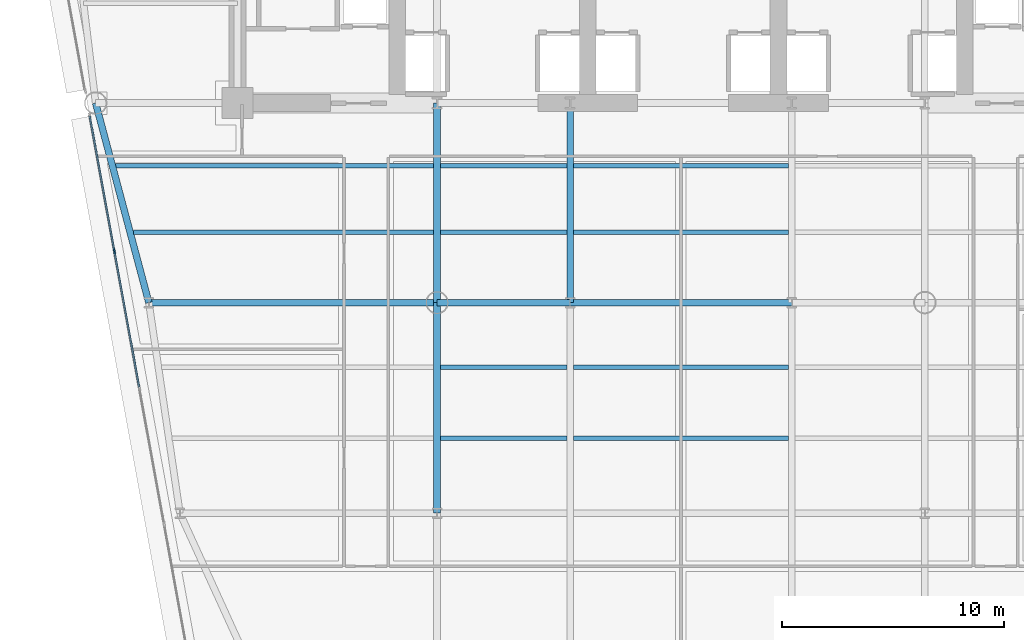
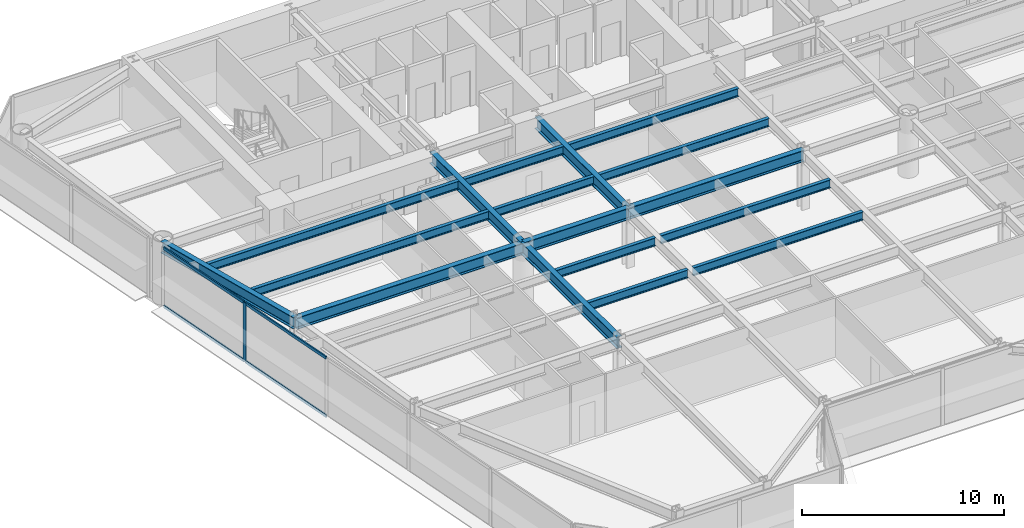
# One storey, part 3 of 14: 17 beams, 5 members, 1 element without a shape of its own.
"""IFC4 building model written with IfcOpenShell, lengths in metres."""

from ifc_helpers import new_model, si_unit, direction, frame, origin, origin_2d, place, context, subcontext, project, spatial, rectangle, i_section, extrude, source, transform, mapped, material, layer, layer_set, material_profile, profile_set, type_object, element, aggregate, save


model = new_model("IFC4")

# Units and contexts
model_context = context("Model", 3, precision=1e-05, world=origin(), true_north=direction((0.0, 1.0)))
body_context = subcontext(model_context, "Body", "Model", "MODEL_VIEW")
ifc_project = project(units=[si_unit("LENGTHUNIT", "METRE"), si_unit("AREAUNIT", "SQUARE_METRE"), si_unit("VOLUMEUNIT", "CUBIC_METRE"), si_unit("PLANEANGLEUNIT", "RADIAN"), si_unit("MASSUNIT", "GRAM", prefix="KILO")], contexts=[model_context])

# Site, building, storey
site_placement = place(None, origin())
site = spatial("IfcSite", under=ifc_project, at=site_placement, CompositionType="ELEMENT")
building_placement = place(site_placement, origin())
building = spatial("IfcBuilding", under=site, at=building_placement, Name="Vaeldorn Concourse Tower", CompositionType="ELEMENT")
storey_placement = place(building_placement, frame((0.0, 0.0, 99.60009765625)))
storey = spatial("IfcBuildingStorey", under=building, at=storey_placement, Name="L25", CompositionType="ELEMENT", Elevation=99.60009765625)

# Beams
ifc_material_1 = material(Name="Steel S355", Category="steel")
ifc_material_profile_1 = material_profile(ifc_material_1, i_section(OverallWidth=0.199951171875, OverallDepth=0.5, WebThickness=0.01025390625, FlangeThickness=0.01611328125, FilletRadius=0.02099609375, at=origin_2d()), Name="IPE 500")
ifc_profile_set_1 = profile_set([ifc_material_profile_1], Name="Steel S355")
beam_type_1 = type_object("IfcBeamType", Name="BM-JS-IPE500", PredefinedType="JOIST", material=ifc_profile_set_1)
shared_shape_1 = source(origin(), body_context, "Body", "SweptSolid", [
    extrude(i_section(OverallWidth=0.199951171875, OverallDepth=0.5, WebThickness=0.01025390625, FlangeThickness=0.01611328125, FilletRadius=0.02099609375, at=origin_2d()), origin(), (0.0, 0.0, 1.0), 5.7001953125),
])
for number, where, z_axis, x_axis, name in (
    (1, (23.14990234375, 21.3798828125, 3.329833984375), (1.0, 0.0, 0.0), (0.0, 1.0, 0.0), "Beam JS-L25-W2-213"),
    (2, (23.14990234375, 24.580078125, 3.329833984375), (1.0, 0.0, 0.0), (0.0, 1.0, 0.0), "Beam JS-L25-W2-245"),
    (3, (23.14990234375, 30.679931640625, 3.329833984375), (1.0, 0.0, 0.0), (0.0, 1.0, 0.0), "Beam JS-L25-W2-306"),
    (4, (23.14990234375, 33.679931640625, 3.329833984375), (1.0, 0.0, 0.0), (0.0, 1.0, 0.0), "Beam JS-L25-W2-336"),
):
    element("IfcBeam", number, at=place(storey_placement, frame(where, z_axis=z_axis, x_axis=x_axis)), inside=storey, type_object=beam_type_1, Name=name, PredefinedType="JOIST", context=body_context, shape_type="MappedRepresentation", body=[
        mapped(shared_shape_1, transform((0.0, 0.0, 0.0), scale=1.0)),
    ])
shared_shape_2 = source(origin(), body_context, "Body", "SweptSolid", [
    extrude(i_section(OverallWidth=0.199951171875, OverallDepth=0.5, WebThickness=0.01025390625, FlangeThickness=0.01611328125, FilletRadius=0.02099609375, at=origin_2d()), origin(), (0.0, 0.0, 1.0), 9.7001953125),
])
for number, where, z_axis, x_axis, name in (
    (5, (29.14990234375, 21.3798828125, 3.329833984375), (1.0, 0.0, 0.0), (0.0, 1.0, 0.0), "Beam JS-L25-C-213"),
    (6, (29.14990234375, 24.580078125, 3.329833984375), (1.0, 0.0, 0.0), (0.0, 1.0, 0.0), "Beam JS-L25-C-245"),
    (7, (29.14990234375, 30.679931640625, 3.329833984375), (1.0, 0.0, 0.0), (0.0, 1.0, 0.0), "Beam JS-L25-C-306"),
    (8, (29.14990234375, 33.679931640625, 3.329833984375), (1.0, 0.0, 0.0), (0.0, 1.0, 0.0), "Beam JS-L25-C-336"),
):
    element("IfcBeam", number, at=place(storey_placement, frame(where, z_axis=z_axis, x_axis=x_axis)), inside=storey, type_object=beam_type_1, Name=name, PredefinedType="JOIST", context=body_context, shape_type="MappedRepresentation", body=[
        mapped(shared_shape_2, transform((0.0, 0.0, 0.0), scale=1.0)),
    ])
shared_shape_3 = source(origin(), body_context, "Body", "SweptSolid", [
    extrude(i_section(OverallWidth=0.199951171875, OverallDepth=0.5, WebThickness=0.01025390625, FlangeThickness=0.01611328125, FilletRadius=0.02099609375, at=origin_2d()), origin(), (0.0, 0.0, 1.0), 13.548095703125),
])
beam_1_placement = place(storey_placement, frame((9.302001953125, 30.679931640625, 3.329833984375), z_axis=(1.0, 0.0, 0.0), x_axis=(0.0, 1.0, 0.0)))
element("IfcBeam", 9, at=beam_1_placement, inside=storey, type_object=beam_type_1, Name="Beam JS-L25-W1-306", PredefinedType="JOIST", context=body_context, shape_type="MappedRepresentation", body=[
    mapped(shared_shape_3, transform((0.0, 0.0, 0.0), scale=1.0)),
])
shared_shape_4 = source(origin(), body_context, "Body", "SweptSolid", [
    extrude(i_section(OverallWidth=0.199951171875, OverallDepth=0.5, WebThickness=0.01025390625, FlangeThickness=0.01611328125, FilletRadius=0.02099609375, at=origin_2d()), origin(), (0.0, 0.0, 1.0), 14.34814453125),
])
beam_2_placement = place(storey_placement, frame((8.501953125, 33.679931640625, 3.329833984375), z_axis=(1.0, 0.0, 0.0), x_axis=(0.0, 1.0, 0.0)))
element("IfcBeam", 10, at=beam_2_placement, inside=storey, type_object=beam_type_1, Name="Beam JS-L25-W1-336", PredefinedType="JOIST", context=body_context, shape_type="MappedRepresentation", body=[
    mapped(shared_shape_4, transform((0.0, 0.0, 0.0), scale=1.0)),
])
ifc_material_profile_2 = material_profile(ifc_material_1, i_section(OverallWidth=0.300048828125, OverallDepth=0.699951171875, WebThickness=0.01708984375, FlangeThickness=0.031982421875, FilletRadius=0.027099609375, at=origin_2d()), Name="HEB 700")
ifc_profile_set_2 = profile_set([ifc_material_profile_2], Name="Steel S355")
beam_type_2 = type_object("IfcBeamType", Name="BM-PG-HEB700", PredefinedType="BEAM", material=ifc_profile_set_2)
shared_shape_5 = source(origin(), body_context, "Body", "SweptSolid", [
    extrude(i_section(OverallWidth=0.300048828125, OverallDepth=0.699951171875, WebThickness=0.01708984375, FlangeThickness=0.031982421875, FilletRadius=0.027099609375, at=origin_2d()), origin(), (0.0, 0.0, 1.0), 6.0),
])
beam_3_placement = place(storey_placement, frame((23.0, 27.5, 3.22998046875), z_axis=(1.0, 0.0, 0.0), x_axis=(0.0, 1.0, 0.0)))
element("IfcBeam", 11, at=beam_3_placement, inside=storey, type_object=beam_type_2, Name="Beam BM-L25-C-TW1-C-TW2", PredefinedType="BEAM", context=body_context, shape_type="MappedRepresentation", body=[
    mapped(shared_shape_5, transform((0.0, 0.0, 0.0), scale=1.0)),
])
shared_shape_6 = source(origin(), body_context, "Body", "SweptSolid", [
    extrude(i_section(OverallWidth=0.300048828125, OverallDepth=0.699951171875, WebThickness=0.01708984375, FlangeThickness=0.031982421875, FilletRadius=0.027099609375, at=origin_2d()), origin(), (0.0, 0.0, 1.0), 10.0),
])
beam_4_placement = place(storey_placement, frame((29.0, 27.5, 3.22998046875), z_axis=(1.0, 0.0, 0.0), x_axis=(0.0, 1.0, 0.0)))
element("IfcBeam", 12, at=beam_4_placement, inside=storey, type_object=beam_type_2, Name="Beam BM-L25-C-TW2-C-TW3", PredefinedType="BEAM", context=body_context, shape_type="MappedRepresentation", body=[
    mapped(shared_shape_6, transform((0.0, 0.0, 0.0), scale=1.0)),
])
shared_shape_7 = source(origin(), body_context, "Body", "SweptSolid", [
    extrude(i_section(OverallWidth=0.300048828125, OverallDepth=0.699951171875, WebThickness=0.01708984375, FlangeThickness=0.031982421875, FilletRadius=0.027099609375, at=origin_2d()), origin(), (0.0, 0.0, 1.0), 9.0),
])
for number, where, z_axis, x_axis, name in (
    (13, (23.0, 27.5, 3.22998046875), (0.0, 1.0, 0.0), (-1.0, 0.0, 0.0), "Beam BM-L25-C-TW1-C-FC2"),
    (14, (29.0, 27.5, 3.22998046875), (0.0, 1.0, 0.0), (-1.0, 0.0, 0.0), "Beam BM-L25-C-TW2-C-FC3"),
):
    element("IfcBeam", number, at=place(storey_placement, frame(where, z_axis=z_axis, x_axis=x_axis)), inside=storey, type_object=beam_type_2, Name=name, PredefinedType="BEAM", context=body_context, shape_type="MappedRepresentation", body=[
        mapped(shared_shape_7, transform((0.0, 0.0, 0.0), scale=1.0)),
    ])
shared_shape_8 = source(origin(), body_context, "Body", "SweptSolid", [
    extrude(i_section(OverallWidth=0.300048828125, OverallDepth=0.699951171875, WebThickness=0.01708984375, FlangeThickness=0.031982421875, FilletRadius=0.027099609375, at=origin_2d()), origin(), (0.0, 0.0, 1.0), 9.314453125),
])
beam_5_placement = place(storey_placement, frame((7.60009765625, 36.5, 3.22998046875), z_axis=(0.257652862255, -0.966237549763, 0.0), x_axis=(0.966237549763, 0.257652862255, 0.0)))
element("IfcBeam", 15, at=beam_5_placement, inside=storey, type_object=beam_type_2, Name="Beam BM-L25-C-NW2-C-FLW1", PredefinedType="BEAM", context=body_context, shape_type="MappedRepresentation", body=[
    mapped(shared_shape_8, transform((0.0, 0.0, 0.0), scale=1.0)),
])
shared_shape_9 = source(origin(), body_context, "Body", "SweptSolid", [
    extrude(i_section(OverallWidth=0.300048828125, OverallDepth=0.699951171875, WebThickness=0.01708984375, FlangeThickness=0.031982421875, FilletRadius=0.027099609375, at=origin_2d()), origin(), (0.0, 0.0, 1.0), 13.0),
])
beam_6_placement = place(storey_placement, frame((10.0, 27.5, 3.22998046875), z_axis=(1.0, 0.0, 0.0), x_axis=(0.0, 1.0, 0.0)))
element("IfcBeam", 16, at=beam_6_placement, inside=storey, type_object=beam_type_2, Name="Beam BM-L25-C-FLW1-C-TW1", PredefinedType="BEAM", context=body_context, shape_type="MappedRepresentation", body=[
    mapped(shared_shape_9, transform((0.0, 0.0, 0.0), scale=1.0)),
])
shared_shape_10 = source(origin(), body_context, "Body", "SweptSolid", [
    extrude(i_section(OverallWidth=0.300048828125, OverallDepth=0.699951171875, WebThickness=0.01708984375, FlangeThickness=0.031982421875, FilletRadius=0.027099609375, at=origin_2d()), origin(), (0.0, 0.0, 1.0), 9.5),
])
beam_7_placement = place(storey_placement, frame((23.0, 18.0, 3.22998046875), z_axis=(0.0, 1.0, 0.0), x_axis=(-1.0, 0.0, 0.0)))
element("IfcBeam", 17, at=beam_7_placement, inside=storey, type_object=beam_type_2, Name="Beam BM-L25-C-TW5-C-TW1", PredefinedType="BEAM", context=body_context, shape_type="MappedRepresentation", body=[
    mapped(shared_shape_10, transform((0.0, 0.0, 0.0), scale=1.0)),
])

# Curtain wall, members
ifc_material_2 = material(Name="Anodised Bronze Aluminium", Category="aluminium")
ifc_layer = layer(ifc_material_2, 0.2099609375)
ifc_layer_set = layer_set([ifc_layer], Name="Anodised Bronze Aluminium")
curtain_wall_type = type_object("IfcCurtainWallType", Name="CW-SYS-06", PredefinedType="NOTDEFINED", material=ifc_layer_set)
curtain_wall_placement = place(storey_placement, origin())
curtain_wall = element("IfcCurtainWall", 18, at=curtain_wall_placement, inside=storey, type_object=curtain_wall_type, Name="Unitised Curtain Wall CW-L25-E11-2", PredefinedType="NOTDEFINED")
ifc_material_profile_3 = material_profile(ifc_material_2, rectangle(XDim=0.074951171875, YDim=0.219970703125, at=origin_2d()), Name="CWM 75x220")
ifc_profile_set_3 = profile_set([ifc_material_profile_3], Name="Anodised Bronze Aluminium")
member_type_1 = type_object("IfcMemberType", Name="CWM-BRONZE-220", PredefinedType="MULLION", material=ifc_profile_set_3)
shared_shape_11 = source(origin(), body_context, "Body", "SweptSolid", [
    extrude(rectangle(XDim=0.074951171875, YDim=0.219970703125, at=origin_2d()), origin(), (0.0, 0.0, 1.0), 3.579833984375),
])
member_1_placement = place(storey_placement, frame((8.444580078125, 29.8193359375, 0.0), z_axis=(0.0, 0.0, 1.0), x_axis=(0.98376286924, 0.179473165416, 0.0)))
member_1 = element("IfcMember", 19, at=member_1_placement, type_object=member_type_1, Name="CW-06 mullion 2", PredefinedType="MULLION", context=body_context, shape_type="MappedRepresentation", body=[
    mapped(shared_shape_11, transform((0.0, 0.0, 0.0), scale=1.0)),
])
ifc_material_profile_4 = material_profile(ifc_material_2, rectangle(XDim=0.074951171875, YDim=0.179931640625, at=origin_2d()), Name="CWT 75x180")
ifc_profile_set_4 = profile_set([ifc_material_profile_4], Name="Anodised Bronze Aluminium")
member_type_2 = type_object("IfcMemberType", Name="CWT-BRONZE-180", PredefinedType="USERDEFINED", material=ifc_profile_set_4)
shared_shape_12 = source(origin(), body_context, "Body", "SweptSolid", [
    extrude(rectangle(XDim=0.074951171875, YDim=0.179931640625, at=origin_2d()), origin(), (0.0, 0.0, 1.0), 6.15185546875),
])
member_2_placement = place(storey_placement, frame((7.333740234375, 35.908203125, 0.037353515625), z_axis=(0.179458150044, -0.983765608457, 0.0), x_axis=(0.983765608457, 0.179458150044, 0.0)))
member_2 = element("IfcMember", 20, at=member_2_placement, type_object=member_type_2, Name="CW-06 transom 1.1", ObjectType="TRANSOM", PredefinedType="USERDEFINED", context=body_context, shape_type="MappedRepresentation", body=[
    mapped(shared_shape_12, transform((0.0, 0.0, 0.0), scale=1.0)),
])
member_3_placement = place(storey_placement, frame((7.333740234375, 35.908203125, 3.54248046875), z_axis=(0.179458150044, -0.983765608457, 0.0), x_axis=(0.983765608457, 0.179458150044, 0.0)))
member_3 = element("IfcMember", 21, at=member_3_placement, type_object=member_type_2, Name="CW-06 transom 1.2", ObjectType="TRANSOM", PredefinedType="USERDEFINED", context=body_context, shape_type="MappedRepresentation", body=[
    mapped(shared_shape_12, transform((0.0, 0.0, 0.0), scale=1.0)),
])
shared_shape_13 = source(origin(), body_context, "Body", "SweptSolid", [
    extrude(rectangle(XDim=0.074951171875, YDim=0.179931640625, at=origin_2d()), origin(), (0.0, 0.0, 1.0), 6.189453125),
])
member_4_placement = place(storey_placement, frame((8.451171875, 29.782470703125, 0.037353515625), z_axis=(0.17947550571, -0.983762442285, 0.0), x_axis=(0.983762442285, 0.17947550571, 0.0)))
member_4 = element("IfcMember", 22, at=member_4_placement, type_object=member_type_2, Name="CW-06 transom 2.1", ObjectType="TRANSOM", PredefinedType="USERDEFINED", context=body_context, shape_type="MappedRepresentation", body=[
    mapped(shared_shape_13, transform((0.0, 0.0, 0.0), scale=1.0)),
])
member_5_placement = place(storey_placement, frame((8.451171875, 29.782470703125, 3.54248046875), z_axis=(0.17947550571, -0.983762442285, 0.0), x_axis=(0.983762442285, 0.17947550571, 0.0)))
member_5 = element("IfcMember", 23, at=member_5_placement, type_object=member_type_2, Name="CW-06 transom 2.2", ObjectType="TRANSOM", PredefinedType="USERDEFINED", context=body_context, shape_type="MappedRepresentation", body=[
    mapped(shared_shape_13, transform((0.0, 0.0, 0.0), scale=1.0)),
])
aggregate(curtain_wall, [member_1, member_2, member_3, member_4, member_5])

save(model, "model.ifc")
